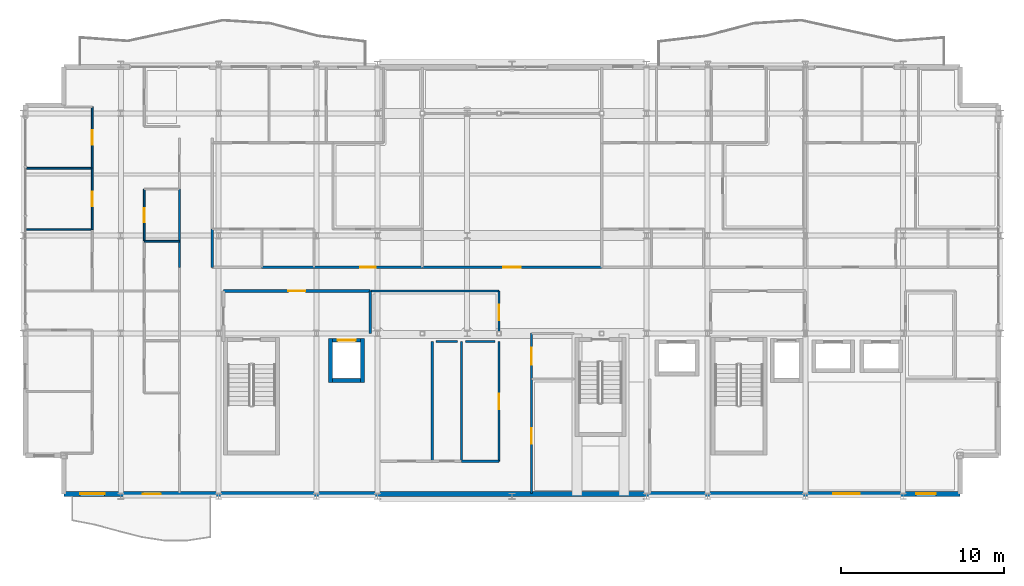
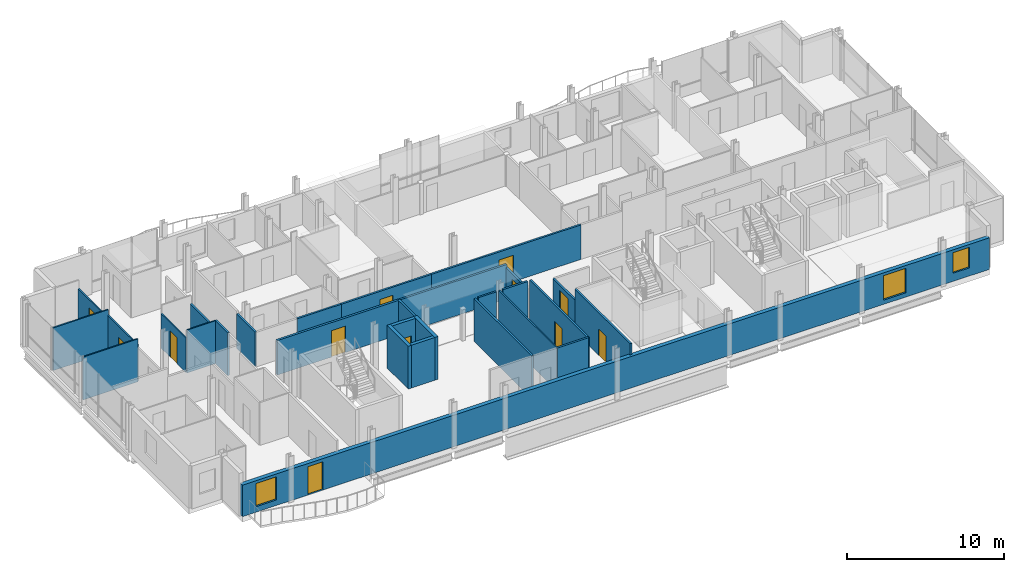
# One storey, part 27 of 35: 29 walls, 12 doors, 3 windows, 15 openings.
"""IFC4 building model written with IfcOpenShell, lengths in metres."""

import ifcopenshell
import ifcopenshell.guid

model = None  # the IFC model being written
_history = None  # IfcOwnerHistory: only IFC2X3 demands one
_inside = {}  # id of a spatial element -> (the spatial element, [elements in it])
_under = {}  # id of a project, library or spatial element -> (it, [spatial elements below it])
_declared = {}  # id of a project -> (the project, [libraries it declares])
_typed = {}  # id of a type object -> (the type object, [elements of that type])
_made_of = {}  # id of a material, layer set ... -> (it, [elements and type objects made of it])


def new_model(schema):
    """Start an empty IFC model of exactly this schema.

    Asked for "IFC4X3", IfcOpenShell would pick the latest addendum, in which some entities
    have other attributes; the version numbers below select the first issue.
    IFC2X3 requires an IfcOwnerHistory on every rooted entity: one is made here for all.
    """
    global model, _history
    if schema == "IFC4X3":
        model = ifcopenshell.file(schema_version=(4, 3, 0, 0))
    else:
        model = ifcopenshell.file(schema=schema)
    _inside.clear()
    _under.clear()
    _declared.clear()
    _typed.clear()
    _made_of.clear()
    _history = None
    if model.schema == "IFC2X3":
        org = make("IfcOrganization", Name="unknown")
        user = make(
            "IfcPersonAndOrganization",
            ThePerson=make("IfcPerson", FamilyName="unknown"),
            TheOrganization=org,
        )
        app = make(
            "IfcApplication",
            ApplicationDeveloper=org,
            Version="unknown",
            ApplicationFullName="unknown",
            ApplicationIdentifier="unknown",
        )
        _history = make(
            "IfcOwnerHistory",
            OwningUser=user,
            OwningApplication=app,
            ChangeAction="ADDED",
            CreationDate=0,
        )
    return model


def make(cls, **values):
    """One entity of the class cls with the attributes given. An attribute that is None is left unset."""
    return model.create_entity(
        cls, **{name: value for name, value in values.items() if value is not None}
    )


def rooted(cls, **values):
    """An entity with a GlobalId (a new one), such as an element, a storey or a relation."""
    return make(cls, GlobalId=ifcopenshell.guid.new(), OwnerHistory=_history, **values)


def si_unit(unit_type, name, prefix=None):
    """IfcSIUnit, for example si_unit("LENGTHUNIT", "METRE", prefix="MILLI")."""
    return make("IfcSIUnit", UnitType=unit_type, Prefix=prefix, Name=name)


def assignment(units):
    """IfcUnitAssignment: the units of a project."""
    return None if units is None else make("IfcUnitAssignment", Units=units)


def point(xyz):
    """IfcCartesianPoint."""
    return None if xyz is None else make("IfcCartesianPoint", Coordinates=xyz)


def direction(xyz):
    """IfcDirection."""
    return None if xyz is None else make("IfcDirection", DirectionRatios=xyz)


def frame(location, z_axis=None, x_axis=None):
    """IfcAxis2Placement3D, a coordinate frame: its origin and axes. An axis left out is left unset."""
    return make(
        "IfcAxis2Placement3D",
        Location=point(location),
        Axis=direction(z_axis),
        RefDirection=direction(x_axis),
    )


def frame_2d(location, x_axis=None):
    """IfcAxis2Placement2D, a coordinate frame in the plane: its origin and x axis."""
    return make(
        "IfcAxis2Placement2D", Location=point(location), RefDirection=direction(x_axis)
    )


def origin():
    """The frame at (0, 0, 0) with its axes left unset."""
    return frame((0.0, 0.0, 0.0))


def place(relative_to, where):
    """IfcLocalPlacement: puts the frame where relative to a parent placement (None: the world)."""
    return make(
        "IfcLocalPlacement", PlacementRelTo=relative_to, RelativePlacement=where
    )


def context(
    kind, dimensions, precision=None, world=None, true_north=None, identifier=None
):
    """IfcGeometricRepresentationContext, for example the 3D "Model" context."""
    return make(
        "IfcGeometricRepresentationContext",
        ContextIdentifier=identifier,
        ContextType=kind,
        CoordinateSpaceDimension=dimensions,
        Precision=precision,
        WorldCoordinateSystem=world,
        TrueNorth=true_north,
    )


def subcontext(parent, identifier, kind, view, scale=None):
    """IfcGeometricRepresentationSubContext, for example "Body" below "Model"."""
    return make(
        "IfcGeometricRepresentationSubContext",
        ContextIdentifier=identifier,
        ContextType=kind,
        ParentContext=parent,
        TargetScale=scale,
        TargetView=view,
    )


def project(units=None, contexts=None):
    """IfcProject with its units and contexts."""
    return rooted(
        "IfcProject",
        Name="project",
        RepresentationContexts=contexts,
        UnitsInContext=assignment(units),
    )


def spatial(cls, under=None, at=None, **own):
    """A site, building, storey or space (cls), placed at a placement, below another one or the project."""
    s = rooted(cls, ObjectPlacement=at, **own)
    if under is not None:
        _under.setdefault(under.id(), (under, []))[1].append(s)
    return s


def profile(cls, at=None, kind="AREA", **sizes):
    """A parametric profile (cls). Its sizes go by their IFC names, for example OverallWidth=200.0."""
    return make(cls, ProfileType=kind, Position=at, **sizes)


def rectangle(**sizes):
    """IfcRectangleProfileDef."""
    return profile("IfcRectangleProfileDef", **sizes)


def extrude(swept, where, along, depth):
    """IfcExtrudedAreaSolid: the profile swept, set in the frame where, extruded along a direction by depth."""
    return make(
        "IfcExtrudedAreaSolid",
        SweptArea=swept,
        Position=where,
        ExtrudedDirection=direction(along),
        Depth=depth,
    )


def shape(context_of_items, identifier, shape_type, items):
    """IfcShapeRepresentation: the items that make up one representation, for example the "Body"."""
    return make(
        "IfcShapeRepresentation",
        ContextOfItems=context_of_items,
        RepresentationIdentifier=identifier,
        RepresentationType=shape_type,
        Items=items,
    )


def material(Name=None, Category=None):
    """IfcMaterial."""
    return make("IfcMaterial", Name=Name, Category=Category)


def layer(
    of_material, thickness, ventilated=None, Name=None, Category=None, Priority=None
):
    """IfcMaterialLayer: one layer of a wall or slab, of a material (None: an air gap)."""
    return make(
        "IfcMaterialLayer",
        Material=of_material,
        LayerThickness=thickness,
        IsVentilated=ventilated,
        Name=Name,
        Category=Category,
        Priority=Priority,
    )


def layer_set(layers, Name=None):
    """IfcMaterialLayerSet."""
    return make("IfcMaterialLayerSet", MaterialLayers=layers, LayerSetName=Name)


def made_of(thing, what):
    """Note that an element or type object is made of a material, layer set ...; save() writes the relation."""
    if what is not None:
        _made_of.setdefault(what.id(), (what, []))[1].append(thing)
    return thing


def type_object(cls, material=None, **own):
    """A type object (cls), such as IfcWallType, which elements share."""
    return made_of(rooted(cls, **own), material)


def element(
    cls,
    number,
    at=None,
    inside=None,
    cuts=None,
    type_object=None,
    material=None,
    context=None,
    identifier="Body",
    shape_type=None,
    held_by="IfcProductDefinitionShape",
    body=None,
    shapes=None,
    **own,
):
    """One element of the class cls, such as IfcWall. Its Tag is "e" and its number.

    at: its placement. inside: the storey or other place that contains it. cuts: it is an
    opening in that element (IfcRelVoidsElement). A single representation is given by context,
    identifier, shape_type and body (its items); several are given by shapes. held_by: the class
    of the entity that holds the representations. save() writes the other relations.
    """
    e = rooted(cls, Tag="e%d" % number, ObjectPlacement=at, **own)
    if body is not None:
        shapes = [shape(context, identifier, shape_type, body)]
    if shapes is not None:
        e.Representation = make(held_by, Representations=shapes)
    if inside is not None:
        _inside.setdefault(inside.id(), (inside, []))[1].append(e)
    if cuts is not None:
        rooted(
            "IfcRelVoidsElement", RelatingBuildingElement=cuts, RelatedOpeningElement=e
        )
    if type_object is not None:
        _typed.setdefault(type_object.id(), (type_object, []))[1].append(e)
    return made_of(e, material)


def fill(opening, filler):
    """IfcRelFillsElement: the door or window that sits in an opening."""
    return rooted(
        "IfcRelFillsElement",
        RelatingOpeningElement=opening,
        RelatedBuildingElement=filler,
    )


def aggregate(whole, parts):
    """IfcRelAggregates: a whole, such as a stair, and the parts it consists of."""
    return rooted("IfcRelAggregates", RelatingObject=whole, RelatedObjects=parts)


def save(model, path):
    """Write the relations noted so far, then the file.

    IfcRelAggregates (storeys below a building ...), IfcRelContainedInSpatialStructure (elements
    in a storey), IfcRelDefinesByType, IfcRelAssociatesMaterial and IfcRelDeclares: one each for
    every whole, place, type object, material and project.
    """
    for whole, parts in _under.values():
        aggregate(whole, parts)
    for where, things in _inside.values():
        rooted(
            "IfcRelContainedInSpatialStructure",
            RelatedElements=things,
            RelatingStructure=where,
        )
    for kind, things in _typed.values():
        rooted("IfcRelDefinesByType", RelatedObjects=things, RelatingType=kind)
    for what, things in _made_of.values():
        rooted("IfcRelAssociatesMaterial", RelatedObjects=things, RelatingMaterial=what)
    for by, libraries in _declared.values():
        rooted("IfcRelDeclares", RelatingContext=by, RelatedDefinitions=libraries)
    model.write(path)


model = new_model("IFC4")

# Units and contexts
model_context = context("Model", 3, precision=1e-05, world=origin(), true_north=direction((0.0, 1.0)))
body_context = subcontext(model_context, "Body", "Model", "MODEL_VIEW")
ifc_project = project(units=[si_unit("LENGTHUNIT", "METRE"), si_unit("AREAUNIT", "SQUARE_METRE"), si_unit("VOLUMEUNIT", "CUBIC_METRE"), si_unit("PLANEANGLEUNIT", "RADIAN"), si_unit("MASSUNIT", "GRAM", prefix="KILO")], contexts=[model_context])

# Site, building, storey
site_placement = place(None, origin())
site = spatial("IfcSite", under=ifc_project, at=site_placement, CompositionType="ELEMENT")
building_placement = place(site_placement, origin())
building = spatial("IfcBuilding", under=site, at=building_placement, Name="Brevholm Reach", CompositionType="ELEMENT")
storey_placement = place(building_placement, frame((0.0, 0.0, 214.39990234375)))
storey = spatial("IfcBuildingStorey", under=building, at=storey_placement, Name="L65", CompositionType="ELEMENT", Elevation=214.39990234375)

# Walls
ifc_material_1 = material(Name="Concrete C45/55", Category="concrete")
ifc_layer_1 = layer(ifc_material_1, 0.239990234375)
ifc_layer_set_1 = layer_set([ifc_layer_1], Name="Concrete C45/55")
wall_type_1 = type_object("IfcWallType", Name="WAL-COR-240", PredefinedType="SHEAR", material=ifc_layer_set_1)
for number, where, z_axis, x_axis, name in (
    (1, (18.8701171875, 7.0, 0.0), (0.0, 0.0, 1.0), (0.0, 1.0, 0.0), "L65 Lift FFL-1 Shaft Wall W"),
    (2, (20.830078125, 7.0, 0.0), (0.0, 0.0, 1.0), (0.0, 1.0, 0.0), "L65 Lift FFL-1 Shaft Wall E"),
):
    element("IfcWall", number, at=place(storey_placement, frame(where, z_axis=z_axis, x_axis=x_axis)), inside=storey, type_object=wall_type_1, Name=name, PredefinedType="SHEAR", context=body_context, shape_type="SweptSolid", body=[
        extrude(rectangle(XDim=2.699951171875, YDim=0.239990234375, at=frame_2d((1.35009765625, 0.0))), origin(), (0.0, 0.0, 1.0), 3.330078125),
    ])
wall_1_placement = place(storey_placement, frame((18.989990234375, 7.1201171875, 0.0), z_axis=(0.0, 0.0, 1.0), x_axis=(1.0, 0.0, 0.0)))
element("IfcWall", 3, at=wall_1_placement, inside=storey, type_object=wall_type_1, Name="L65 Lift FFL-1 Shaft Wall S", PredefinedType="SHEAR", context=body_context, shape_type="SweptSolid", body=[
    extrude(rectangle(XDim=1.719970703125, YDim=0.239990234375, at=frame_2d((0.85986328125, 0.0))), origin(), (0.0, 0.0, 1.0), 3.330078125),
])

# Wall, opening, door
wall_2_placement = place(storey_placement, frame((18.989990234375, 9.580078125, 0.0), z_axis=(0.0, 0.0, 1.0), x_axis=(1.0, 0.0, 0.0)))
wall_2 = element("IfcWall", 4, at=wall_2_placement, inside=storey, type_object=wall_type_1, Name="L65 Lift FFL-1 Shaft Wall N", PredefinedType="SHEAR", context=body_context, shape_type="SweptSolid", body=[
    extrude(rectangle(XDim=1.719970703125, YDim=0.239990234375, at=frame_2d((0.85986328125, 0.0))), origin(), (0.0, 0.0, 1.0), 3.330078125),
])
opening_1_placement = place(wall_2_placement, frame((0.31005859375, 0.0, 0.0)))
opening_1 = element("IfcOpeningElement", 5, at=opening_1_placement, cuts=wall_2, Name="Opening LD-FFL-1", PredefinedType="OPENING", context=body_context, shape_type="SweptSolid", body=[
    extrude(rectangle(XDim=1.10009765625, YDim=2.06005859375, at=frame_2d((0.550048828125, 1.030029296875))), frame((0.0, 0.1298828125, 0.0), z_axis=(0.0, -1.0, 0.0), x_axis=(1.0, 0.0, 0.0)), (0.0, 0.0, 1.0), 0.260009765625),
])
ifc_material_2 = material(Name="Brushed Stainless Steel Fire-Rated Sliding Lift Door", Category="steel")
door_type_1 = type_object("IfcDoorType", Name="DOR-LFT-1100", OperationType="NOTDEFINED", PredefinedType="DOOR", material=ifc_material_2)
door_1_placement = place(opening_1_placement, origin())
door_1 = element("IfcDoor", 6, at=door_1_placement, inside=storey, type_object=door_type_1, Name="L65 Lift FFL-1 Sliding Landing Door", OperationType="SLIDING_TO_LEFT", OverallHeight=2.06005859375, OverallWidth=1.10009765625, PredefinedType="DOOR", context=body_context, shape_type="SweptSolid", body=[
    extrude(rectangle(XDim=1.10009765625, YDim=2.06005859375, at=frame_2d((0.550048828125, 1.030029296875))), frame((0.0, 0.02490234375, 0.0), z_axis=(0.0, -1.0, 0.0), x_axis=(1.0, 0.0, 0.0)), (0.0, 0.0, 1.0), 0.050048828125),
])
fill(opening_1, door_1)

# Wall, openings, door, windows
ifc_material_3 = material(Name="Concrete C40/50", Category="concrete")
ifc_layer_2 = layer(ifc_material_3, 0.300048828125)
ifc_layer_set_2 = layer_set([ifc_layer_2], Name="Concrete C40/50")
wall_type_2 = type_object("IfcWallType", Name="WAL-EXT-300", PredefinedType="STANDARD", material=ifc_layer_set_2)
wall_3_placement = place(storey_placement, frame((2.5, 0.14990234375, 0.0), z_axis=(0.0, 0.0, 1.0), x_axis=(1.0, 0.0, 0.0)))
wall_3 = element("IfcWall", 7, at=wall_3_placement, inside=storey, type_object=wall_type_2, Name="L65 Facade Wall WAL-L65-S", PredefinedType="STANDARD", context=body_context, shape_type="SweptSolid", body=[
    extrude(rectangle(XDim=55.0, YDim=0.300048828125, at=frame_2d((27.5, 0.0))), origin(), (0.0, 0.0, 1.0), 2.4541015625),
])
opening_2_placement = place(wall_3_placement, frame((4.85009765625, 0.0, 0.0)))
opening_2 = element("IfcOpeningElement", 8, at=opening_2_placement, cuts=wall_3, Name="Opening BD-01", PredefinedType="OPENING", context=body_context, shape_type="SweptSolid", body=[
    extrude(rectangle(XDim=1.10009765625, YDim=2.199951171875, at=frame_2d((0.550048828125, 1.10009765625))), frame((0.0, 0.159912109375, 0.0), z_axis=(0.0, -1.0, 0.0), x_axis=(1.0, 0.0, 0.0)), (0.0, 0.0, 1.0), 0.320068359375),
])
opening_3_placement = place(wall_3_placement, frame((1.0, 0.0, 0.43408203125)))
opening_3 = element("IfcOpeningElement", 9, at=opening_3_placement, cuts=wall_3, Name="Opening WN-05", PredefinedType="OPENING", context=body_context, shape_type="SweptSolid", body=[
    extrude(rectangle(XDim=1.5, YDim=1.800048828125, at=frame_2d((0.75, 0.89990234375))), frame((0.0, 0.159912109375, 0.0), z_axis=(0.0, -1.0, 0.0), x_axis=(1.0, 0.0, 0.0)), (0.0, 0.0, 1.0), 0.320068359375),
])
opening_4_placement = place(wall_3_placement, frame((47.199951171875, 0.0, 0.333984375)))
opening_4 = element("IfcOpeningElement", 10, at=opening_4_placement, cuts=wall_3, Name="Opening WN-06", PredefinedType="OPENING", context=body_context, shape_type="SweptSolid", body=[
    extrude(rectangle(XDim=1.64990234375, YDim=1.89990234375, at=frame_2d((0.824951171875, 0.949951171875))), frame((0.0, 0.159912109375, 0.0), z_axis=(0.0, -1.0, 0.0), x_axis=(1.0, 0.0, 0.0)), (0.0, 0.0, 1.0), 0.320068359375),
])
opening_5_placement = place(wall_3_placement, frame((52.300048828125, 0.0, 0.634033203125)))
opening_5 = element("IfcOpeningElement", 11, at=opening_5_placement, cuts=wall_3, Name="Opening WN-08", PredefinedType="OPENING", context=body_context, shape_type="SweptSolid", body=[
    extrude(rectangle(XDim=1.199951171875, YDim=1.60009765625, at=frame_2d((0.60009765625, 0.800048828125))), frame((0.0, 0.159912109375, 0.0), z_axis=(0.0, -1.0, 0.0), x_axis=(1.0, 0.0, 0.0)), (0.0, 0.0, 1.0), 0.320068359375),
])
ifc_material_4 = material(Name="Dark Anodised Aluminium and Triple-Glazed Glass", Category="aluminium")
door_type_2 = type_object("IfcDoorType", Name="DOR-BALC-1100", OperationType="NOTDEFINED", PredefinedType="DOOR", material=ifc_material_4)
door_2_placement = place(opening_2_placement, origin())
door_2 = element("IfcDoor", 12, at=door_2_placement, inside=storey, type_object=door_type_2, Name="L65 Exterior Door DOR-L65-BL-SW", OperationType="SINGLE_SWING_LEFT", OverallHeight=2.199951171875, OverallWidth=1.10009765625, PredefinedType="DOOR", context=body_context, shape_type="SweptSolid", body=[
    extrude(rectangle(XDim=1.10009765625, YDim=2.199951171875, at=frame_2d((0.550048828125, 1.10009765625))), frame((0.0, 0.02490234375, 0.0), z_axis=(0.0, -1.0, 0.0), x_axis=(1.0, 0.0, 0.0)), (0.0, 0.0, 1.0), 0.050048828125),
])
fill(opening_2, door_2)
ifc_material_5 = material(Name="Dark Anodised Aluminium and Solar-Control IGU Glass", Category="aluminium")
window_type_1 = type_object("IfcWindowType", Name="WIN-RES-1200", PartitioningType="SINGLE_PANEL", PredefinedType="WINDOW", material=ifc_material_5)
window_1_placement = place(opening_5_placement, origin())
window_1 = element("IfcWindow", 13, at=window_1_placement, inside=storey, type_object=window_type_1, Name="L65 Window WIN-L65-S-E2", OverallHeight=1.60009765625, OverallWidth=1.199951171875, PartitioningType="SINGLE_PANEL", PredefinedType="WINDOW", context=body_context, shape_type="SweptSolid", body=[
    extrude(rectangle(XDim=1.199951171875, YDim=1.60009765625, at=frame_2d((0.60009765625, 0.800048828125))), frame((0.0, 0.030029296875, 0.0), z_axis=(0.0, -1.0, 0.0), x_axis=(1.0, 0.0, 0.0)), (0.0, 0.0, 1.0), 0.06005859375),
])
fill(opening_5, window_1)
ifc_material_6 = material(Name="Dark Anodised Aluminium and Solar-Control IGU Glass", Category="aluminium")
window_type_2 = type_object("IfcWindowType", Name="WIN-RES-1500", PartitioningType="SINGLE_PANEL", PredefinedType="WINDOW", material=ifc_material_6)
window_2_placement = place(opening_3_placement, origin())
window_2 = element("IfcWindow", 14, at=window_2_placement, inside=storey, type_object=window_type_2, Name="L65 Window WIN-L65-S-W1", OverallHeight=1.800048828125, OverallWidth=1.5, PartitioningType="SINGLE_PANEL", PredefinedType="WINDOW", context=body_context, shape_type="SweptSolid", body=[
    extrude(rectangle(XDim=1.5, YDim=1.800048828125, at=frame_2d((0.75, 0.89990234375))), frame((0.0, 0.030029296875, 0.0), z_axis=(0.0, -1.0, 0.0), x_axis=(1.0, 0.0, 0.0)), (0.0, 0.0, 1.0), 0.06005859375),
])
fill(opening_3, window_2)
ifc_material_7 = material(Name="Dark Anodised Aluminium and Solar-Control IGU Glass", Category="aluminium")
window_type_3 = type_object("IfcWindowType", Name="WIN-RES-1650", PartitioningType="SINGLE_PANEL", PredefinedType="WINDOW", material=ifc_material_7)
window_3_placement = place(opening_4_placement, origin())
window_3 = element("IfcWindow", 15, at=window_3_placement, inside=storey, type_object=window_type_3, Name="L65 Window WIN-L65-S-E1", OverallHeight=1.89990234375, OverallWidth=1.64990234375, PartitioningType="SINGLE_PANEL", PredefinedType="WINDOW", context=body_context, shape_type="SweptSolid", body=[
    extrude(rectangle(XDim=1.64990234375, YDim=1.89990234375, at=frame_2d((0.824951171875, 0.949951171875))), frame((0.0, 0.030029296875, 0.0), z_axis=(0.0, -1.0, 0.0), x_axis=(1.0, 0.0, 0.0)), (0.0, 0.0, 1.0), 0.06005859375),
])
fill(opening_4, window_3)

# Walls
ifc_material_8 = material(Name="Moisture-Resistant Acoustic Gypsum Stud Partition 100 mm", Category="gypsum")
ifc_layer_3 = layer(ifc_material_8, 0.10009765625)
ifc_layer_set_3 = layer_set([ifc_layer_3], Name="Moisture-Resistant Acoustic Gypsum Stud Partition 100 mm")
wall_type_3 = type_object("IfcWallType", Name="WAL-PRT-100", PredefinedType="PARTITIONING", material=ifc_layer_set_3)
wall_4_placement = place(storey_placement, frame((26.89990234375, 2.154052734375, 0.0), z_axis=(0.0, 0.0, 1.0), x_axis=(0.0, 1.0, 0.0)))
element("IfcWall", 16, at=wall_4_placement, inside=storey, type_object=wall_type_3, Name="L65 Internal Partition 009", PredefinedType="PARTITIONING", context=body_context, shape_type="SweptSolid", body=[
    extrude(rectangle(XDim=7.345947265625, YDim=0.10009765625, at=frame_2d((3.6728515625, 0.0))), origin(), (0.0, 0.0, 1.0), 3.330078125),
])
wall_5_placement = place(storey_placement, frame((7.43798828125, 15.64990234375, 0.0), z_axis=(0.0, 0.0, 1.0), x_axis=(1.0, 0.0, 0.0)))
element("IfcWall", 17, at=wall_5_placement, inside=storey, type_object=wall_type_3, Name="L65 Internal Partition 057", PredefinedType="PARTITIONING", context=body_context, shape_type="SweptSolid", body=[
    extrude(rectangle(XDim=2.157958984375, YDim=0.10009765625, at=frame_2d((1.0791015625, 0.0))), origin(), (0.0, 0.0, 1.0), 3.330078125),
])

# Wall, opening, door
wall_6_placement = place(storey_placement, frame((7.43798828125, 15.654052734375, 0.0), z_axis=(0.0, 0.0, 1.0), x_axis=(0.0, 1.0, 0.0)))
wall_6 = element("IfcWall", 18, at=wall_6_placement, inside=storey, type_object=wall_type_3, Name="L65 Internal Partition 060", PredefinedType="PARTITIONING", context=body_context, shape_type="SweptSolid", body=[
    extrude(rectangle(XDim=3.196044921875, YDim=0.10009765625, at=frame_2d((1.59814453125, 0.0))), origin(), (0.0, 0.0, 1.0), 2.684814453125),
])
opening_6_placement = place(wall_6_placement, frame((1.157958984375, 0.0, 0.0)))
opening_6 = element("IfcOpeningElement", 19, at=opening_6_placement, cuts=wall_6, Name="Opening ID-01", PredefinedType="OPENING", context=body_context, shape_type="SweptSolid", body=[
    extrude(rectangle(XDim=0.8798828125, YDim=2.0400390625, at=frame_2d((0.43994140625, 1.02001953125))), frame((0.0, 0.06005859375, 0.0), z_axis=(0.0, -1.0, 0.0), x_axis=(1.0, 0.0, 0.0)), (0.0, 0.0, 1.0), 0.1201171875),
])
ifc_material_9 = material(Name="Lacquered Ash Solid-Core Acoustic Internal Door", Category="timber")
door_type_3 = type_object("IfcDoorType", Name="DOR-INT-880", OperationType="NOTDEFINED", PredefinedType="DOOR", material=ifc_material_9)
door_3_placement = place(opening_6_placement, origin())
door_3 = element("IfcDoor", 20, at=door_3_placement, inside=storey, type_object=door_type_3, Name="L65 Internal Door 025", OperationType="SINGLE_SWING_RIGHT", OverallHeight=2.0400390625, OverallWidth=0.8798828125, PredefinedType="DOOR", context=body_context, shape_type="SweptSolid", body=[
    extrude(rectangle(XDim=0.8798828125, YDim=2.0400390625, at=frame_2d((0.43994140625, 1.02001953125))), frame((0.0, 0.02490234375, 0.0), z_axis=(0.0, -1.0, 0.0), x_axis=(1.0, 0.0, 0.0)), (0.0, 0.0, 1.0), 0.050048828125),
])
fill(opening_6, door_3)

# Walls
for number, where, z_axis, x_axis, name in (
    (21, (0.199951171875, 16.366943359375, 0.0), (0.0, 0.0, 1.0), (1.0, 0.0, 0.0), "L65 Internal Partition 063"),
    (22, (0.199951171875, 20.134033203125, 0.0), (0.0, 0.0, 1.0), (1.0, 0.0, 0.0), "L65 Internal Partition 065"),
):
    element("IfcWall", number, at=place(storey_placement, frame(where, z_axis=z_axis, x_axis=x_axis)), inside=storey, type_object=wall_type_3, Name=name, PredefinedType="PARTITIONING", context=body_context, shape_type="SweptSolid", body=[
        extrude(rectangle(XDim=4.0419921875, YDim=0.10009765625, at=frame_2d((2.02099609375, 0.0))), origin(), (0.0, 0.0, 1.0), 3.330078125),
    ])

# Wall, opening, door
wall_7_placement = place(storey_placement, frame((4.241943359375, 16.37109375, 0.0), z_axis=(0.0, 0.0, 1.0), x_axis=(0.0, 1.0, 0.0)))
wall_7 = element("IfcWall", 23, at=wall_7_placement, inside=storey, type_object=wall_type_3, Name="L65 Internal Partition 066", PredefinedType="PARTITIONING", context=body_context, shape_type="SweptSolid", body=[
    extrude(rectangle(XDim=3.762939453125, YDim=0.10009765625, at=frame_2d((1.88134765625, 0.0))), origin(), (0.0, 0.0, 1.0), 2.898681640625),
])
opening_7_placement = place(wall_7_placement, frame((1.44140625, 0.0, 0.0)))
opening_7 = element("IfcOpeningElement", 24, at=opening_7_placement, cuts=wall_7, Name="Opening ID-01", PredefinedType="OPENING", context=body_context, shape_type="SweptSolid", body=[
    extrude(rectangle(XDim=0.8798828125, YDim=2.0400390625, at=frame_2d((0.43994140625, 1.02001953125))), frame((0.0, 0.06005859375, 0.0), z_axis=(0.0, -1.0, 0.0), x_axis=(1.0, 0.0, 0.0)), (0.0, 0.0, 1.0), 0.1201171875),
])
door_4_placement = place(opening_7_placement, origin())
door_4 = element("IfcDoor", 25, at=door_4_placement, inside=storey, type_object=door_type_3, Name="L65 Internal Door 028", OperationType="SINGLE_SWING_LEFT", OverallHeight=2.0400390625, OverallWidth=0.8798828125, PredefinedType="DOOR", context=body_context, shape_type="SweptSolid", body=[
    extrude(rectangle(XDim=0.8798828125, YDim=2.0400390625, at=frame_2d((0.43994140625, 1.02001953125))), frame((0.0, 0.02490234375, 0.0), z_axis=(0.0, -1.0, 0.0), x_axis=(1.0, 0.0, 0.0)), (0.0, 0.0, 1.0), 0.050048828125),
])
fill(opening_7, door_4)

wall_8_placement = place(storey_placement, frame((4.241943359375, 20.137939453125, 0.0), z_axis=(0.0, 0.0, 1.0), x_axis=(0.0, 1.0, 0.0)))
wall_8 = element("IfcWall", 26, at=wall_8_placement, inside=storey, type_object=wall_type_3, Name="L65 Internal Partition 068", PredefinedType="PARTITIONING", context=body_context, shape_type="SweptSolid", body=[
    extrude(rectangle(XDim=3.762939453125, YDim=0.10009765625, at=frame_2d((1.88134765625, 0.0))), origin(), (0.0, 0.0, 1.0), 2.684814453125),
])
opening_8_placement = place(wall_8_placement, frame((1.44140625, 0.0, 0.0)))
opening_8 = element("IfcOpeningElement", 27, at=opening_8_placement, cuts=wall_8, Name="Opening ID-01", PredefinedType="OPENING", context=body_context, shape_type="SweptSolid", body=[
    extrude(rectangle(XDim=0.8798828125, YDim=2.0400390625, at=frame_2d((0.43994140625, 1.02001953125))), frame((0.0, 0.06005859375, 0.0), z_axis=(0.0, -1.0, 0.0), x_axis=(1.0, 0.0, 0.0)), (0.0, 0.0, 1.0), 0.1201171875),
])
door_5_placement = place(opening_8_placement, origin())
door_5 = element("IfcDoor", 28, at=door_5_placement, inside=storey, type_object=door_type_3, Name="L65 Internal Door 029", OperationType="SINGLE_SWING_RIGHT", OverallHeight=2.0400390625, OverallWidth=0.8798828125, PredefinedType="DOOR", context=body_context, shape_type="SweptSolid", body=[
    extrude(rectangle(XDim=0.8798828125, YDim=2.0400390625, at=frame_2d((0.43994140625, 1.02001953125))), frame((0.0, 0.02490234375, 0.0), z_axis=(0.0, -1.0, 0.0), x_axis=(1.0, 0.0, 0.0)), (0.0, 0.0, 1.0), 0.050048828125),
])
fill(opening_8, door_5)

ifc_material_10 = material(Name="Twin-Stud Acoustic Fire-Rated Gypsum Partition 140 mm", Category="gypsum")
ifc_layer_4 = layer(ifc_material_10, 0.139892578125)
ifc_layer_set_4 = layer_set([ifc_layer_4], Name="Twin-Stud Acoustic Fire-Rated Gypsum Partition 140 mm")
wall_type_4 = type_object("IfcWallType", Name="WAL-PRT-140", PredefinedType="PARTITIONING", material=ifc_layer_set_4)
wall_9_placement = place(storey_placement, frame((29.199951171875, 2.142578125, 0.0), z_axis=(0.0, 0.0, 1.0), x_axis=(0.0, 1.0, 0.0)))
wall_9 = element("IfcWall", 29, at=wall_9_placement, inside=storey, type_object=wall_type_4, Name="L65 Internal Partition 001", PredefinedType="PARTITIONING", context=body_context, shape_type="SweptSolid", body=[
    extrude(rectangle(XDim=7.36865234375, YDim=0.139892578125, at=frame_2d((3.684326171875, 0.0))), origin(), (0.0, 0.0, 1.0), 3.330078125),
])
opening_9_placement = place(wall_9_placement, frame((3.209228515625, 0.0, 0.0)))
opening_9 = element("IfcOpeningElement", 30, at=opening_9_placement, cuts=wall_9, Name="Opening ID-30", PredefinedType="OPENING", context=body_context, shape_type="SweptSolid", body=[
    extrude(rectangle(XDim=0.949951171875, YDim=2.050048828125, at=frame_2d((0.47509765625, 1.02490234375))), frame((0.0, 0.079833984375, 0.0), z_axis=(0.0, -1.0, 0.0), x_axis=(1.0, 0.0, 0.0)), (0.0, 0.0, 1.0), 0.159912109375),
])
ifc_material_11 = material(Name="European Oak Veneered Solid-Core Fire Entrance Door", Category="timber")
door_type_4 = type_object("IfcDoorType", Name="DOR-FLT-FD30S", OperationType="NOTDEFINED", PredefinedType="DOOR", material=ifc_material_11)
door_6_placement = place(opening_9_placement, origin())
door_6 = element("IfcDoor", 31, at=door_6_placement, inside=storey, type_object=door_type_4, Name="L65 Internal Door 001", OperationType="SINGLE_SWING_RIGHT", OverallHeight=2.050048828125, OverallWidth=0.949951171875, PredefinedType="DOOR", context=body_context, shape_type="SweptSolid", body=[
    extrude(rectangle(XDim=0.949951171875, YDim=2.050048828125, at=frame_2d((0.47509765625, 1.02490234375))), frame((0.0, 0.02490234375, 0.0), z_axis=(0.0, -1.0, 0.0), x_axis=(1.0, 0.0, 0.0)), (0.0, 0.0, 1.0), 0.050048828125),
])
fill(opening_9, door_6)

wall_10_placement = place(storey_placement, frame((31.199951171875, 0.179931640625, 0.0), z_axis=(0.0, 0.0, 1.0), x_axis=(0.0, 1.0, 0.0)))
wall_10 = element("IfcWall", 32, at=wall_10_placement, inside=storey, type_object=wall_type_4, Name="L65 Internal Partition 002", PredefinedType="PARTITIONING", context=body_context, shape_type="SweptSolid", body=[
    extrude(rectangle(XDim=7.03125, YDim=0.139892578125, at=frame_2d((3.515625, 0.0))), origin(), (0.0, 0.0, 1.0), 3.330078125),
])
opening_10_placement = place(wall_10_placement, frame((3.04052734375, 0.0, 0.0)))
opening_10 = element("IfcOpeningElement", 33, at=opening_10_placement, cuts=wall_10, Name="Opening ID-30", PredefinedType="OPENING", context=body_context, shape_type="SweptSolid", body=[
    extrude(rectangle(XDim=0.949951171875, YDim=2.050048828125, at=frame_2d((0.47509765625, 1.02490234375))), frame((0.0, 0.079833984375, 0.0), z_axis=(0.0, -1.0, 0.0), x_axis=(1.0, 0.0, 0.0)), (0.0, 0.0, 1.0), 0.159912109375),
])
door_7_placement = place(opening_10_placement, origin())
door_7 = element("IfcDoor", 34, at=door_7_placement, inside=storey, type_object=door_type_4, Name="L65 Internal Door 002", OperationType="SINGLE_SWING_LEFT", OverallHeight=2.050048828125, OverallWidth=0.949951171875, PredefinedType="DOOR", context=body_context, shape_type="SweptSolid", body=[
    extrude(rectangle(XDim=0.949951171875, YDim=2.050048828125, at=frame_2d((0.47509765625, 1.02490234375))), frame((0.0, 0.02490234375, 0.0), z_axis=(0.0, -1.0, 0.0), x_axis=(1.0, 0.0, 0.0)), (0.0, 0.0, 1.0), 0.050048828125),
])
fill(opening_10, door_7)

wall_11_placement = place(storey_placement, frame((31.199951171875, 7.192626953125, 0.0), z_axis=(0.0, 0.0, 1.0), x_axis=(0.0, 1.0, 0.0)))
wall_11 = element("IfcWall", 35, at=wall_11_placement, inside=storey, type_object=wall_type_4, Name="L65 Internal Partition 003", PredefinedType="PARTITIONING", context=body_context, shape_type="SweptSolid", body=[
    extrude(rectangle(XDim=2.818603515625, YDim=0.139892578125, at=frame_2d((1.4091796875, 0.0))), origin(), (0.0, 0.0, 1.0), 2.4541015625),
])
opening_11_placement = place(wall_11_placement, frame((0.88427734375, 0.0, 0.0)))
opening_11 = element("IfcOpeningElement", 36, at=opening_11_placement, cuts=wall_11, Name="Opening FD-01", PredefinedType="OPENING", context=body_context, shape_type="SweptSolid", body=[
    extrude(rectangle(XDim=1.050048828125, YDim=2.06005859375, at=frame_2d((0.52490234375, 1.030029296875))), frame((0.0, 0.079833984375, 0.0), z_axis=(0.0, -1.0, 0.0), x_axis=(1.0, 0.0, 0.0)), (0.0, 0.0, 1.0), 0.159912109375),
])
ifc_material_12 = material(Name="Hardwood-Lipped Steel-Core Fire and Smoke Door", Category="steel")
door_type_5 = type_object("IfcDoorType", Name="DOR-INT-FD60S", OperationType="NOTDEFINED", PredefinedType="DOOR", material=ifc_material_12)
door_8_placement = place(opening_11_placement, origin())
door_8 = element("IfcDoor", 37, at=door_8_placement, inside=storey, type_object=door_type_5, Name="L65 Internal Door 003", OperationType="SINGLE_SWING_RIGHT", OverallHeight=2.06005859375, OverallWidth=1.050048828125, PredefinedType="DOOR", context=body_context, shape_type="SweptSolid", body=[
    extrude(rectangle(XDim=1.050048828125, YDim=2.06005859375, at=frame_2d((0.52490234375, 1.030029296875))), frame((0.0, 0.02490234375, 0.0), z_axis=(0.0, -1.0, 0.0), x_axis=(1.0, 0.0, 0.0)), (0.0, 0.0, 1.0), 0.050048828125),
])
fill(opening_11, door_8)

wall_12_placement = place(storey_placement, frame((29.199951171875, 9.98876953125, 0.0), z_axis=(0.0, 0.0, 1.0), x_axis=(0.0, 1.0, 0.0)))
wall_12 = element("IfcWall", 38, at=wall_12_placement, inside=storey, type_object=wall_type_4, Name="L65 Internal Partition 004", PredefinedType="PARTITIONING", context=body_context, shape_type="SweptSolid", body=[
    extrude(rectangle(XDim=2.611328125, YDim=0.139892578125, at=frame_2d((1.3056640625, 0.0))), origin(), (0.0, 0.0, 1.0), 2.4541015625),
])
opening_12_placement = place(wall_12_placement, frame((0.83056640625, 0.0, 0.0)))
opening_12 = element("IfcOpeningElement", 39, at=opening_12_placement, cuts=wall_12, Name="Opening ID-30", PredefinedType="OPENING", context=body_context, shape_type="SweptSolid", body=[
    extrude(rectangle(XDim=0.949951171875, YDim=2.050048828125, at=frame_2d((0.47509765625, 1.02490234375))), frame((0.0, 0.079833984375, 0.0), z_axis=(0.0, -1.0, 0.0), x_axis=(1.0, 0.0, 0.0)), (0.0, 0.0, 1.0), 0.159912109375),
])
door_9_placement = place(opening_12_placement, origin())
door_9 = element("IfcDoor", 40, at=door_9_placement, inside=storey, type_object=door_type_4, Name="L65 Internal Door 004", OperationType="SINGLE_SWING_LEFT", OverallHeight=2.050048828125, OverallWidth=0.949951171875, PredefinedType="DOOR", context=body_context, shape_type="SweptSolid", body=[
    extrude(rectangle(XDim=0.949951171875, YDim=2.050048828125, at=frame_2d((0.47509765625, 1.02490234375))), frame((0.0, 0.02490234375, 0.0), z_axis=(0.0, -1.0, 0.0), x_axis=(1.0, 0.0, 0.0)), (0.0, 0.0, 1.0), 0.050048828125),
])
fill(opening_12, door_9)

# Walls
wall_13_placement = place(storey_placement, frame((26.892578125, 2.14990234375, 0.0), z_axis=(0.0, 0.0, 1.0), x_axis=(1.0, 0.0, 0.0)))
element("IfcWall", 41, at=wall_13_placement, inside=storey, type_object=wall_type_4, Name="L65 Internal Partition 007", PredefinedType="PARTITIONING", context=body_context, shape_type="SweptSolid", body=[
    extrude(rectangle(XDim=2.303466796875, YDim=0.139892578125, at=frame_2d((1.15185546875, 0.0))), origin(), (0.0, 0.0, 1.0), 3.330078125),
])
wall_14_placement = place(storey_placement, frame((25.10009765625, 2.154052734375, 0.0), z_axis=(0.0, 0.0, 1.0), x_axis=(0.0, 1.0, 0.0)))
element("IfcWall", 42, at=wall_14_placement, inside=storey, type_object=wall_type_4, Name="L65 Internal Partition 008", PredefinedType="PARTITIONING", context=body_context, shape_type="SweptSolid", body=[
    extrude(rectangle(XDim=7.345947265625, YDim=0.139892578125, at=frame_2d((3.6728515625, 0.0))), origin(), (0.0, 0.0, 1.0), 3.330078125),
])
wall_15_placement = place(storey_placement, frame((21.303955078125, 12.60009765625, 0.0), z_axis=(0.0, 0.0, 1.0), x_axis=(1.0, 0.0, 0.0)))
element("IfcWall", 43, at=wall_15_placement, inside=storey, type_object=wall_type_4, Name="L65 Internal Partition 024", PredefinedType="PARTITIONING", context=body_context, shape_type="SweptSolid", body=[
    extrude(rectangle(XDim=7.89208984375, YDim=0.139892578125, at=frame_2d((3.946044921875, 0.0))), origin(), (0.0, 0.0, 1.0), 2.684814453125),
])
wall_16_placement = place(storey_placement, frame((14.642578125, 14.050048828125, 0.0), z_axis=(0.0, 0.0, 1.0), x_axis=(1.0, 0.0, 0.0)))
element("IfcWall", 44, at=wall_16_placement, inside=storey, type_object=wall_type_4, Name="L65 Internal Partition 026", PredefinedType="PARTITIONING", context=body_context, shape_type="SweptSolid", body=[
    extrude(rectangle(XDim=3.21875, YDim=0.139892578125, at=frame_2d((1.609375, 0.0))), origin(), (0.0, 0.0, 1.0), 2.684814453125),
])

# Wall, opening, door
wall_17_placement = place(storey_placement, frame((17.8427734375, 14.050048828125, 0.0), z_axis=(0.0, 0.0, 1.0), x_axis=(1.0, 0.0, 0.0)))
wall_17 = element("IfcWall", 45, at=wall_17_placement, inside=storey, type_object=wall_type_4, Name="L65 Internal Partition 027", PredefinedType="PARTITIONING", context=body_context, shape_type="SweptSolid", body=[
    extrude(rectangle(XDim=6.66845703125, YDim=0.139892578125, at=frame_2d((3.334228515625, 0.0))), origin(), (0.0, 0.0, 1.0), 2.684814453125),
])
opening_13_placement = place(wall_17_placement, frame((2.859375, 0.0, 0.0)))
opening_13 = element("IfcOpeningElement", 46, at=opening_13_placement, cuts=wall_17, Name="Opening ID-30", PredefinedType="OPENING", context=body_context, shape_type="SweptSolid", body=[
    extrude(rectangle(XDim=0.949951171875, YDim=2.050048828125, at=frame_2d((0.47509765625, 1.02490234375))), frame((0.0, 0.079833984375, 0.0), z_axis=(0.0, -1.0, 0.0), x_axis=(1.0, 0.0, 0.0)), (0.0, 0.0, 1.0), 0.159912109375),
])
door_10_placement = place(opening_13_placement, origin())
door_10 = element("IfcDoor", 47, at=door_10_placement, inside=storey, type_object=door_type_4, Name="L65 Internal Door 013", OperationType="SINGLE_SWING_RIGHT", OverallHeight=2.050048828125, OverallWidth=0.949951171875, PredefinedType="DOOR", context=body_context, shape_type="SweptSolid", body=[
    extrude(rectangle(XDim=0.949951171875, YDim=2.050048828125, at=frame_2d((0.47509765625, 1.02490234375))), frame((0.0, 0.02490234375, 0.0), z_axis=(0.0, -1.0, 0.0), x_axis=(1.0, 0.0, 0.0)), (0.0, 0.0, 1.0), 0.050048828125),
])
fill(opening_13, door_10)

wall_18_placement = place(storey_placement, frame((24.49267578125, 14.050048828125, 0.0), z_axis=(0.0, 0.0, 1.0), x_axis=(1.0, 0.0, 0.0)))
wall_18 = element("IfcWall", 48, at=wall_18_placement, inside=storey, type_object=wall_type_4, Name="L65 Internal Partition 028", PredefinedType="PARTITIONING", context=body_context, shape_type="SweptSolid", body=[
    extrude(rectangle(XDim=11.0185546875, YDim=0.139892578125, at=frame_2d((5.50927734375, 0.0))), origin(), (0.0, 0.0, 1.0), 2.684814453125),
])
opening_14_placement = place(wall_18_placement, frame((4.984375, 0.0, 0.0)))
opening_14 = element("IfcOpeningElement", 49, at=opening_14_placement, cuts=wall_18, Name="Opening FD-01", PredefinedType="OPENING", context=body_context, shape_type="SweptSolid", body=[
    extrude(rectangle(XDim=1.050048828125, YDim=2.06005859375, at=frame_2d((0.52490234375, 1.030029296875))), frame((0.0, 0.079833984375, 0.0), z_axis=(0.0, -1.0, 0.0), x_axis=(1.0, 0.0, 0.0)), (0.0, 0.0, 1.0), 0.159912109375),
])
door_11_placement = place(opening_14_placement, origin())
door_11 = element("IfcDoor", 50, at=door_11_placement, inside=storey, type_object=door_type_5, Name="L65 Internal Door 014", OperationType="SINGLE_SWING_LEFT", OverallHeight=2.06005859375, OverallWidth=1.050048828125, PredefinedType="DOOR", context=body_context, shape_type="SweptSolid", body=[
    extrude(rectangle(XDim=1.050048828125, YDim=2.06005859375, at=frame_2d((0.52490234375, 1.030029296875))), frame((0.0, 0.02490234375, 0.0), z_axis=(0.0, -1.0, 0.0), x_axis=(1.0, 0.0, 0.0)), (0.0, 0.0, 1.0), 0.050048828125),
])
fill(opening_14, door_11)

# Walls
wall_19_placement = place(storey_placement, frame((9.60009765625, 14.053955078125, 0.0), z_axis=(0.0, 0.0, 1.0), x_axis=(0.0, 1.0, 0.0)))
element("IfcWall", 51, at=wall_19_placement, inside=storey, type_object=wall_type_4, Name="L65 Internal Partition 051", PredefinedType="PARTITIONING", context=body_context, shape_type="SweptSolid", body=[
    extrude(rectangle(XDim=1.607421875, YDim=0.139892578125, at=frame_2d((0.8037109375, 0.0))), origin(), (0.0, 0.0, 1.0), 3.330078125),
])
wall_20_placement = place(storey_placement, frame((9.60009765625, 15.642578125, 0.0), z_axis=(0.0, 0.0, 1.0), x_axis=(0.0, 1.0, 0.0)))
element("IfcWall", 52, at=wall_20_placement, inside=storey, type_object=wall_type_4, Name="L65 Internal Partition 052", PredefinedType="PARTITIONING", context=body_context, shape_type="SweptSolid", body=[
    extrude(rectangle(XDim=3.21875, YDim=0.139892578125, at=frame_2d((1.609375, 0.0))), origin(), (0.0, 0.0, 1.0), 2.684814453125),
])
wall_21_placement = place(storey_placement, frame((11.60009765625, 14.053955078125, 0.0), z_axis=(0.0, 0.0, 1.0), x_axis=(0.0, 1.0, 0.0)))
element("IfcWall", 53, at=wall_21_placement, inside=storey, type_object=wall_type_4, Name="L65 Internal Partition 054", PredefinedType="PARTITIONING", context=body_context, shape_type="SweptSolid", body=[
    extrude(rectangle(XDim=2.357421875, YDim=0.139892578125, at=frame_2d((1.1787109375, 0.0))), origin(), (0.0, 0.0, 1.0), 2.684814453125),
])
wall_22_placement = place(storey_placement, frame((25.340087890625, 9.5, 0.0), z_axis=(0.0, 0.0, 1.0), x_axis=(1.0, 0.0, 0.0)))
element("IfcWall", 54, at=wall_22_placement, inside=storey, type_object=wall_type_4, Name="L65 Internal Partition 116", PredefinedType="PARTITIONING", context=body_context, shape_type="SweptSolid", body=[
    extrude(rectangle(XDim=1.31982421875, YDim=0.139892578125, at=frame_2d((0.659912109375, 0.0))), origin(), (0.0, 0.0, 1.0), 3.330078125),
])
wall_23_placement = place(storey_placement, frame((27.139892578125, 9.5, 0.0), z_axis=(0.0, 0.0, 1.0), x_axis=(1.0, 0.0, 0.0)))
element("IfcWall", 55, at=wall_23_placement, inside=storey, type_object=wall_type_4, Name="L65 Internal Partition 117", PredefinedType="PARTITIONING", context=body_context, shape_type="SweptSolid", body=[
    extrude(rectangle(XDim=1.820068359375, YDim=0.139892578125, at=frame_2d((0.91015625, 0.0))), origin(), (0.0, 0.0, 1.0), 3.330078125),
])

# Wall, opening, door
ifc_material_13 = material(Name="Twin-Frame Fire-Rated Gypsum Board and Mineral Wool 160 mm", Category="gypsum")
ifc_layer_5 = layer(ifc_material_13, 0.159912109375)
ifc_layer_set_5 = layer_set([ifc_layer_5], Name="Twin-Frame Fire-Rated Gypsum Board and Mineral Wool 160 mm")
wall_type_5 = type_object("IfcWallType", Name="WAL-PRT-160", PredefinedType="PARTITIONING", material=ifc_layer_set_5)
wall_24_placement = place(storey_placement, frame((12.300048828125, 12.60009765625, 0.0), z_axis=(0.0, 0.0, 1.0), x_axis=(1.0, 0.0, 0.0)))
wall_24 = element("IfcWall", 56, at=wall_24_placement, inside=storey, type_object=wall_type_5, Name="L65 Internal Partition 013", PredefinedType="PARTITIONING", context=body_context, shape_type="SweptSolid", body=[
    extrude(rectangle(XDim=9.0, YDim=0.159912109375, at=frame_2d((4.5, 0.0))), origin(), (0.0, 0.0, 1.0), 2.684814453125),
])
opening_15_placement = place(wall_24_placement, frame((3.97509765625, 0.0, 0.0)))
opening_15 = element("IfcOpeningElement", 57, at=opening_15_placement, cuts=wall_24, Name="Opening FD-01", PredefinedType="OPENING", context=body_context, shape_type="SweptSolid", body=[
    extrude(rectangle(XDim=1.050048828125, YDim=2.06005859375, at=frame_2d((0.52490234375, 1.030029296875))), frame((0.0, 0.08984375, 0.0), z_axis=(0.0, -1.0, 0.0), x_axis=(1.0, 0.0, 0.0)), (0.0, 0.0, 1.0), 0.179931640625),
])
door_12_placement = place(opening_15_placement, origin())
door_12 = element("IfcDoor", 58, at=door_12_placement, inside=storey, type_object=door_type_5, Name="L65 Internal Door 007", OperationType="SINGLE_SWING_RIGHT", OverallHeight=2.06005859375, OverallWidth=1.050048828125, PredefinedType="DOOR", context=body_context, shape_type="SweptSolid", body=[
    extrude(rectangle(XDim=1.050048828125, YDim=2.06005859375, at=frame_2d((0.52490234375, 1.030029296875))), frame((0.0, 0.02490234375, 0.0), z_axis=(0.0, -1.0, 0.0), x_axis=(1.0, 0.0, 0.0)), (0.0, 0.0, 1.0), 0.050048828125),
])
fill(opening_15, door_12)

# Wall
wall_25_placement = place(storey_placement, frame((21.300048828125, 9.98876953125, 0.0), z_axis=(0.0, 0.0, 1.0), x_axis=(0.0, 1.0, 0.0)))
element("IfcWall", 59, at=wall_25_placement, inside=storey, type_object=wall_type_5, Name="L65 Internal Partition 015", PredefinedType="PARTITIONING", context=body_context, shape_type="SweptSolid", body=[
    extrude(rectangle(XDim=2.611328125, YDim=0.159912109375, at=frame_2d((1.3056640625, 0.0))), origin(), (0.0, 0.0, 1.0), 2.684814453125),
])

save(model, "model.ifc")
